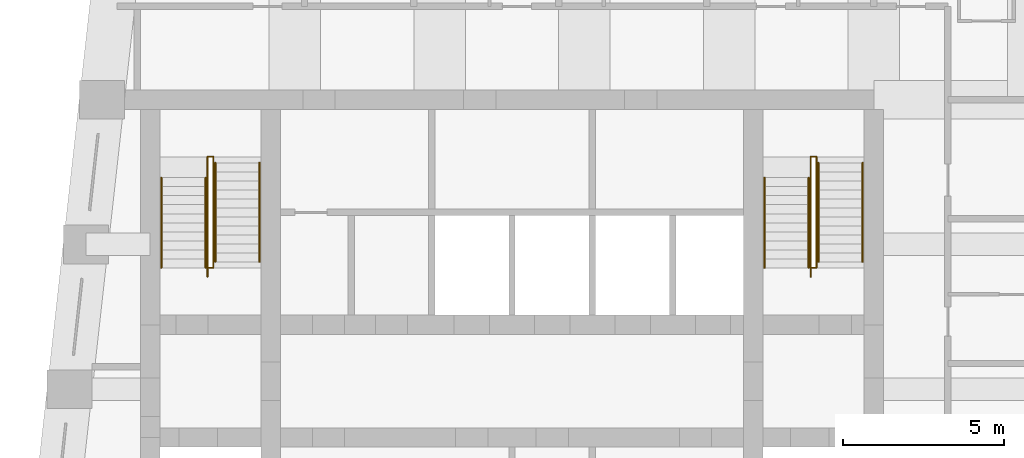
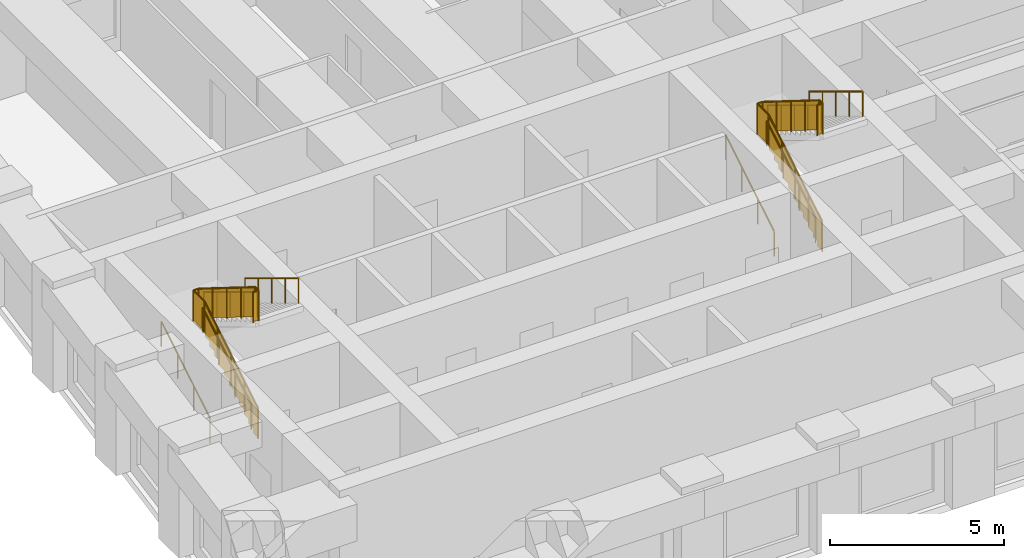
# One storey, part 7 of 7: 12 railings.
"""IFC4 building model written with IfcOpenShell, lengths in metres."""

from ifc_helpers import new_model, si_unit, direction, frame, origin, origin_2d, place, context, subcontext, project, spatial, polyline, circle, outline, extrude, material, type_object, element, save


model = new_model("IFC4")

# Units and contexts
model_context = context("Model", 3, precision=1e-05, world=origin(), true_north=direction((0.0, 1.0)))
body_context = subcontext(model_context, "Body", "Model", "MODEL_VIEW")
ifc_project = project(units=[si_unit("LENGTHUNIT", "METRE"), si_unit("AREAUNIT", "SQUARE_METRE"), si_unit("VOLUMEUNIT", "CUBIC_METRE"), si_unit("PLANEANGLEUNIT", "RADIAN"), si_unit("MASSUNIT", "GRAM", prefix="KILO")], contexts=[model_context])

# Site, building, storey
site_placement = place(None, origin())
site = spatial("IfcSite", under=ifc_project, at=site_placement, CompositionType="ELEMENT")
building_placement = place(site_placement, origin())
building = spatial("IfcBuilding", under=site, at=building_placement, Name="Kilele Tower Hotel", CompositionType="ELEMENT")
storey_placement = place(building_placement, frame((0.0, 0.0, 258.5)))
storey = spatial("IfcBuildingStorey", under=building, at=storey_placement, Name="L66", CompositionType="ELEMENT", Elevation=258.5)

# Railings
ifc_material_1 = material(Name="Steel handrail", Category="steel")
railing_type_1 = type_object("IfcRailingType", Name="Handrail 900", PredefinedType="HANDRAIL", material=ifc_material_1)
for number, where, name in (
    (1, (13.85009765625, 21.77490234375, 0.169677734375), "Handrail ST1 flight 1"),
    (2, (15.22509765625, 21.77490234375, 0.169677734375), "Handrail ST1 flight 1"),
):
    element("IfcRailing", number, at=place(storey_placement, frame(where)), inside=storey, type_object=railing_type_1, Name=name, PredefinedType="HANDRAIL", context=body_context, shape_type="SweptSolid", body=[
        extrude(circle(Radius=0.02490234375, at=origin_2d()), frame((0.0, 0.0, 0.875), z_axis=(0.0, 0.855393119324, 0.517979354234), x_axis=(-1.0, 0.0, 0.0)), (0.0, 0.0, 1.0), 3.2734375),
        extrude(circle(Radius=0.02001953125, at=origin_2d()), origin(), (0.0, 0.0, 1.0), 0.849853515625),
        extrude(circle(Radius=0.02001953125, at=origin_2d()), frame((0.0, 0.933349609375, 0.565185546875)), (0.0, 0.0, 1.0), 0.849853515625),
        extrude(circle(Radius=0.02001953125, at=origin_2d()), frame((0.0, 1.86669921875, 1.13037109375)), (0.0, 0.0, 1.0), 0.849853515625),
        extrude(circle(Radius=0.02001953125, at=origin_2d()), frame((0.0, 2.800048828125, 1.695556640625)), (0.0, 0.0, 1.0), 0.849853515625),
    ])
for number, where, name in (
    (3, (15.52490234375, 25.0400390625, 2.03466796875), "Handrail ST1 flight 2"),
    (4, (16.89990234375, 25.0400390625, 2.03466796875), "Handrail ST1 flight 2"),
):
    element("IfcRailing", number, at=place(storey_placement, frame(where)), inside=storey, type_object=railing_type_1, Name=name, PredefinedType="HANDRAIL", context=body_context, shape_type="SweptSolid", body=[
        extrude(circle(Radius=0.02490234375, at=origin_2d()), frame((0.0, 0.0, 0.875), z_axis=(0.0, -0.855379917629, 0.518001154937), x_axis=(1.0, 0.0, 0.0)), (0.0, 0.0, 1.0), 3.600830078125),
        extrude(circle(Radius=0.02001953125, at=origin_2d()), origin(), (0.0, 0.0, 1.0), 0.849853515625),
        extrude(circle(Radius=0.02001953125, at=origin_2d()), frame((0.0, -0.77001953125, 0.46630859375)), (0.0, 0.0, 1.0), 0.849853515625),
        extrude(circle(Radius=0.02001953125, at=origin_2d()), frame((0.0, -1.5400390625, 0.9326171875)), (0.0, 0.0, 1.0), 0.849853515625),
        extrude(circle(Radius=0.02001953125, at=origin_2d()), frame((0.0, -2.31005859375, 1.39892578125)), (0.0, 0.0, 1.0), 0.849853515625),
        extrude(circle(Radius=0.02001953125, at=origin_2d()), frame((0.0, -3.080078125, 1.865234375)), (0.0, 0.0, 1.0), 0.849853515625),
    ])
for number, where, name in (
    (5, (32.60009765625, 21.77490234375, 0.169677734375), "Handrail ST2 flight 1"),
    (6, (33.97509765625, 21.77490234375, 0.169677734375), "Handrail ST2 flight 1"),
):
    element("IfcRailing", number, at=place(storey_placement, frame(where)), inside=storey, type_object=railing_type_1, Name=name, PredefinedType="HANDRAIL", context=body_context, shape_type="SweptSolid", body=[
        extrude(circle(Radius=0.02490234375, at=origin_2d()), frame((0.0, 0.0, 0.875), z_axis=(0.0, 0.855393119324, 0.517979354234), x_axis=(-1.0, 0.0, 0.0)), (0.0, 0.0, 1.0), 3.2734375),
        extrude(circle(Radius=0.02001953125, at=origin_2d()), origin(), (0.0, 0.0, 1.0), 0.849853515625),
        extrude(circle(Radius=0.02001953125, at=origin_2d()), frame((0.0, 0.933349609375, 0.565185546875)), (0.0, 0.0, 1.0), 0.849853515625),
        extrude(circle(Radius=0.02001953125, at=origin_2d()), frame((0.0, 1.86669921875, 1.13037109375)), (0.0, 0.0, 1.0), 0.849853515625),
        extrude(circle(Radius=0.02001953125, at=origin_2d()), frame((0.0, 2.800048828125, 1.695556640625)), (0.0, 0.0, 1.0), 0.849853515625),
    ])
for number, where, name in (
    (7, (34.27490234375, 25.0400390625, 2.03466796875), "Handrail ST2 flight 2"),
    (8, (35.64990234375, 25.0400390625, 2.03466796875), "Handrail ST2 flight 2"),
):
    element("IfcRailing", number, at=place(storey_placement, frame(where)), inside=storey, type_object=railing_type_1, Name=name, PredefinedType="HANDRAIL", context=body_context, shape_type="SweptSolid", body=[
        extrude(circle(Radius=0.02490234375, at=origin_2d()), frame((0.0, 0.0, 0.875), z_axis=(0.0, -0.855379917629, 0.518001154937), x_axis=(1.0, 0.0, 0.0)), (0.0, 0.0, 1.0), 3.600830078125),
        extrude(circle(Radius=0.02001953125, at=origin_2d()), origin(), (0.0, 0.0, 1.0), 0.849853515625),
        extrude(circle(Radius=0.02001953125, at=origin_2d()), frame((0.0, -0.77001953125, 0.46630859375)), (0.0, 0.0, 1.0), 0.849853515625),
        extrude(circle(Radius=0.02001953125, at=origin_2d()), frame((0.0, -1.5400390625, 0.9326171875)), (0.0, 0.0, 1.0), 0.849853515625),
        extrude(circle(Radius=0.02001953125, at=origin_2d()), frame((0.0, -2.31005859375, 1.39892578125)), (0.0, 0.0, 1.0), 0.849853515625),
        extrude(circle(Radius=0.02001953125, at=origin_2d()), frame((0.0, -3.080078125, 1.865234375)), (0.0, 0.0, 1.0), 0.849853515625),
    ])
ifc_material_2 = material(Name="Steel guard", Category="steel")
railing_type_2 = type_object("IfcRailingType", Name="Stair guard 1100", PredefinedType="GUARDRAIL", material=ifc_material_2)
railing_1_placement = place(storey_placement, frame((15.284912109375, 21.4951171875, 0.0)))
element("IfcRailing", 9, at=railing_1_placement, inside=storey, type_object=railing_type_2, Name="Stair well guard ST1 flight 1", PredefinedType="GUARDRAIL", context=body_context, shape_type="SweptSolid", body=[
    extrude(circle(Radius=0.02490234375, at=origin_2d()), frame((0.0, 0.0, 1.0751953125), z_axis=(0.0, 0.855361723277, 0.518031198243), x_axis=(-1.0, 0.0, 0.0)), (0.0, 0.0, 1.0), 3.6005859375),
    extrude(circle(Radius=0.02490234375, at=origin_2d()), frame((0.0, 3.079833984375, 2.9404296875), z_axis=(0.0, 1.0, 0.0), x_axis=(-1.0, 0.0, 0.0)), (0.0, 0.0, 1.0), 0.650146484375),
    extrude(circle(Radius=0.02490234375, at=origin_2d()), frame((0.0, 3.72998046875, 2.9404296875), z_axis=(1.0, 0.0, 0.0), x_axis=(0.0, 1.0, 0.0)), (0.0, 0.0, 1.0), 0.18017578125),
    extrude(circle(Radius=0.02490234375, at=origin_2d()), origin(), (0.0, 0.0, 1.0), 1.050048828125),
    extrude(circle(Radius=0.02490234375, at=origin_2d()), frame((0.0, 0.77001953125, 0.46630859375)), (0.0, 0.0, 1.0), 1.050048828125),
    extrude(circle(Radius=0.02490234375, at=origin_2d()), frame((0.0, 1.5400390625, 0.9326171875)), (0.0, 0.0, 1.0), 1.050048828125),
    extrude(circle(Radius=0.02490234375, at=origin_2d()), frame((0.0, 2.309814453125, 1.39892578125)), (0.0, 0.0, 1.0), 1.050048828125),
    extrude(circle(Radius=0.02490234375, at=origin_2d()), frame((0.0, 3.079833984375, 1.865234375)), (0.0, 0.0, 1.0), 1.050048828125),
    extrude(circle(Radius=0.02490234375, at=origin_2d()), frame((0.0, 3.72998046875, 1.865234375)), (0.0, 0.0, 1.0), 1.050048828125),
    extrude(circle(Radius=0.02490234375, at=origin_2d()), frame((0.18017578125, 3.72998046875, 1.865234375)), (0.0, 0.0, 1.0), 1.050048828125),
    extrude(outline(polyline([(0.012451171875, 0.030029296875), (0.25, 0.030029296875), (0.25, 0.19970703125), (0.530029296875, 0.19970703125), (0.530029296875, 0.369140625), (0.809814453125, 0.369140625), (0.809814453125, 0.538818359375), (1.08984375, 0.538818359375), (1.08984375, 0.708251953125), (1.369873046875, 0.708251953125), (1.369873046875, 0.8779296875), (1.64990234375, 0.8779296875), (1.64990234375, 1.04736328125), (1.929931640625, 1.04736328125), (1.929931640625, 1.217041015625), (2.2099609375, 1.217041015625), (2.2099609375, 1.386474609375), (2.48974609375, 1.386474609375), (2.48974609375, 1.55615234375), (2.769775390625, 1.55615234375), (2.769775390625, 1.7255859375), (3.0498046875, 1.7255859375), (3.0498046875, 1.895263671875), (3.0673828125, 1.895263671875), (3.0673828125, 2.903564453125), (0.012451171875, 1.053466796875), (0.012451171875, 0.030029296875)])), frame((-0.005859375, 0.0, 0.0), z_axis=(1.0, 0.0, 0.0), x_axis=(0.0, 1.0, 0.0)), (0.0, 0.0, 1.0), 0.011962890625),
    extrude(outline(polyline([(0.012451171875, 0.030029296875), (0.6376953125, 0.030029296875), (0.6376953125, 1.050048828125), (0.012451171875, 1.050048828125), (0.012451171875, 0.030029296875)])), frame((-0.005859375, 3.079833984375, 1.865234375), z_axis=(1.0, 0.0, 0.0), x_axis=(0.0, 1.0, 0.0)), (0.0, 0.0, 1.0), 0.011962890625),
    extrude(outline(polyline([(0.012451171875, 0.030029296875), (0.18017578125, 0.030029296875), (0.18017578125, 1.050048828125), (0.012451171875, 1.050048828125), (0.012451171875, 0.030029296875)])), frame((0.0, 3.73583984375, 1.865234375), z_axis=(0.0, -1.0, 0.0), x_axis=(1.0, 0.0, 0.0)), (0.0, 0.0, 1.0), 0.011962890625),
])
railing_2_placement = place(storey_placement, frame((15.465087890625, 25.22509765625, 1.865234375)))
element("IfcRailing", 10, at=railing_2_placement, inside=storey, type_object=railing_type_2, Name="Stair well guard ST1 flight 2", PredefinedType="GUARDRAIL", context=body_context, shape_type="SweptSolid", body=[
    extrude(circle(Radius=0.02490234375, at=origin_2d()), frame((0.0, 0.0, 1.0751953125), z_axis=(0.0, -0.848703446432, 0.528869038624), x_axis=(1.0, 0.0, 0.0)), (0.0, 0.0, 1.0), 3.84716796875),
    extrude(circle(Radius=0.02490234375, at=origin_2d()), frame((0.0, -3.26513671875, 3.10986328125), z_axis=(0.0, -1.0, 0.0), x_axis=(1.0, 0.0, 0.0)), (0.0, 0.0, 1.0), 0.18505859375),
    extrude(circle(Radius=0.02490234375, at=origin_2d()), frame((0.0, -3.4501953125, 3.10986328125), z_axis=(-1.0, 0.0, 0.0), x_axis=(0.0, -1.0, 0.0)), (0.0, 0.0, 1.0), 0.18017578125),
    extrude(circle(Radius=0.02490234375, at=origin_2d()), origin(), (0.0, 0.0, 1.0), 1.050048828125),
    extrude(circle(Radius=0.02490234375, at=origin_2d()), frame((0.0, -0.81640625, 0.5087890625)), (0.0, 0.0, 1.0), 1.050048828125),
    extrude(circle(Radius=0.02490234375, at=origin_2d()), frame((0.0, -1.632568359375, 1.017333984375)), (0.0, 0.0, 1.0), 1.050048828125),
    extrude(circle(Radius=0.02490234375, at=origin_2d()), frame((0.0, -2.44873046875, 1.52587890625)), (0.0, 0.0, 1.0), 1.050048828125),
    extrude(circle(Radius=0.02490234375, at=origin_2d()), frame((0.0, -3.26513671875, 2.03466796875)), (0.0, 0.0, 1.0), 1.050048828125),
    extrude(circle(Radius=0.02490234375, at=origin_2d()), frame((0.0, -3.4501953125, 2.03466796875)), (0.0, 0.0, 1.0), 1.050048828125),
    extrude(circle(Radius=0.02490234375, at=origin_2d()), frame((-0.18017578125, -3.4501953125, 2.03466796875)), (0.0, 0.0, 1.0), 1.050048828125),
    extrude(outline(polyline([(0.0, 0.030029296875), (3.252685546875, 2.056884765625), (3.252685546875, 3.072509765625), (0.0, 1.045654296875), (0.0, 0.030029296875)])), frame((0.005859375, 0.0, 0.0), z_axis=(-1.0, 0.0, 0.0), x_axis=(0.0, -1.0, 0.0)), (0.0, 0.0, 1.0), 0.011962890625),
    extrude(outline(polyline([(0.012451171875, 0.030029296875), (0.172607421875, 0.030029296875), (0.172607421875, 1.050048828125), (0.012451171875, 1.050048828125), (0.012451171875, 0.030029296875)])), frame((0.005859375, -3.26513671875, 2.03466796875), z_axis=(-1.0, 0.0, 0.0), x_axis=(0.0, -1.0, 0.0)), (0.0, 0.0, 1.0), 0.011962890625),
    extrude(outline(polyline([(0.012451171875, 0.030029296875), (0.18017578125, 0.030029296875), (0.18017578125, 1.050048828125), (0.012451171875, 1.050048828125), (0.012451171875, 0.030029296875)])), frame((0.0, -3.4560546875, 2.03466796875), z_axis=(0.0, 1.0, 0.0), x_axis=(-1.0, 0.0, 0.0)), (0.0, 0.0, 1.0), 0.011962890625),
])
railing_3_placement = place(storey_placement, frame((34.034912109375, 21.4951171875, 0.0)))
element("IfcRailing", 11, at=railing_3_placement, inside=storey, type_object=railing_type_2, Name="Stair well guard ST2 flight 1", PredefinedType="GUARDRAIL", context=body_context, shape_type="SweptSolid", body=[
    extrude(circle(Radius=0.02490234375, at=origin_2d()), frame((0.0, 0.0, 1.0751953125), z_axis=(0.0, 0.855361723277, 0.518031198243), x_axis=(-1.0, 0.0, 0.0)), (0.0, 0.0, 1.0), 3.6005859375),
    extrude(circle(Radius=0.02490234375, at=origin_2d()), frame((0.0, 3.079833984375, 2.9404296875), z_axis=(0.0, 1.0, 0.0), x_axis=(-1.0, 0.0, 0.0)), (0.0, 0.0, 1.0), 0.650146484375),
    extrude(circle(Radius=0.02490234375, at=origin_2d()), frame((0.0, 3.72998046875, 2.9404296875), z_axis=(1.0, 0.0, 0.0), x_axis=(0.0, 1.0, 0.0)), (0.0, 0.0, 1.0), 0.18017578125),
    extrude(circle(Radius=0.02490234375, at=origin_2d()), origin(), (0.0, 0.0, 1.0), 1.050048828125),
    extrude(circle(Radius=0.02490234375, at=origin_2d()), frame((0.0, 0.77001953125, 0.46630859375)), (0.0, 0.0, 1.0), 1.050048828125),
    extrude(circle(Radius=0.02490234375, at=origin_2d()), frame((0.0, 1.5400390625, 0.9326171875)), (0.0, 0.0, 1.0), 1.050048828125),
    extrude(circle(Radius=0.02490234375, at=origin_2d()), frame((0.0, 2.309814453125, 1.39892578125)), (0.0, 0.0, 1.0), 1.050048828125),
    extrude(circle(Radius=0.02490234375, at=origin_2d()), frame((0.0, 3.079833984375, 1.865234375)), (0.0, 0.0, 1.0), 1.050048828125),
    extrude(circle(Radius=0.02490234375, at=origin_2d()), frame((0.0, 3.72998046875, 1.865234375)), (0.0, 0.0, 1.0), 1.050048828125),
    extrude(circle(Radius=0.02490234375, at=origin_2d()), frame((0.18017578125, 3.72998046875, 1.865234375)), (0.0, 0.0, 1.0), 1.050048828125),
    extrude(outline(polyline([(0.012451171875, 0.030029296875), (0.25, 0.030029296875), (0.25, 0.19970703125), (0.530029296875, 0.19970703125), (0.530029296875, 0.369140625), (0.809814453125, 0.369140625), (0.809814453125, 0.538818359375), (1.08984375, 0.538818359375), (1.08984375, 0.708251953125), (1.369873046875, 0.708251953125), (1.369873046875, 0.8779296875), (1.64990234375, 0.8779296875), (1.64990234375, 1.04736328125), (1.929931640625, 1.04736328125), (1.929931640625, 1.217041015625), (2.2099609375, 1.217041015625), (2.2099609375, 1.386474609375), (2.48974609375, 1.386474609375), (2.48974609375, 1.55615234375), (2.769775390625, 1.55615234375), (2.769775390625, 1.7255859375), (3.0498046875, 1.7255859375), (3.0498046875, 1.895263671875), (3.0673828125, 1.895263671875), (3.0673828125, 2.903564453125), (0.012451171875, 1.053466796875), (0.012451171875, 0.030029296875)])), frame((-0.005859375, 0.0, 0.0), z_axis=(1.0, 0.0, 0.0), x_axis=(0.0, 1.0, 0.0)), (0.0, 0.0, 1.0), 0.011962890625),
    extrude(outline(polyline([(0.012451171875, 0.030029296875), (0.6376953125, 0.030029296875), (0.6376953125, 1.050048828125), (0.012451171875, 1.050048828125), (0.012451171875, 0.030029296875)])), frame((-0.005859375, 3.079833984375, 1.865234375), z_axis=(1.0, 0.0, 0.0), x_axis=(0.0, 1.0, 0.0)), (0.0, 0.0, 1.0), 0.011962890625),
    extrude(outline(polyline([(0.012451171875, 0.030029296875), (0.18017578125, 0.030029296875), (0.18017578125, 1.050048828125), (0.012451171875, 1.050048828125), (0.012451171875, 0.030029296875)])), frame((0.0, 3.73583984375, 1.865234375), z_axis=(0.0, -1.0, 0.0), x_axis=(1.0, 0.0, 0.0)), (0.0, 0.0, 1.0), 0.011962890625),
])
railing_4_placement = place(storey_placement, frame((34.215087890625, 25.22509765625, 1.865234375)))
element("IfcRailing", 12, at=railing_4_placement, inside=storey, type_object=railing_type_2, Name="Stair well guard ST2 flight 2", PredefinedType="GUARDRAIL", context=body_context, shape_type="SweptSolid", body=[
    extrude(circle(Radius=0.02490234375, at=origin_2d()), frame((0.0, 0.0, 1.0751953125), z_axis=(0.0, -0.848703446432, 0.528869038624), x_axis=(1.0, 0.0, 0.0)), (0.0, 0.0, 1.0), 3.84716796875),
    extrude(circle(Radius=0.02490234375, at=origin_2d()), frame((0.0, -3.26513671875, 3.10986328125), z_axis=(0.0, -1.0, 0.0), x_axis=(1.0, 0.0, 0.0)), (0.0, 0.0, 1.0), 0.18505859375),
    extrude(circle(Radius=0.02490234375, at=origin_2d()), frame((0.0, -3.4501953125, 3.10986328125), z_axis=(-1.0, 0.0, 0.0), x_axis=(0.0, -1.0, 0.0)), (0.0, 0.0, 1.0), 0.18017578125),
    extrude(circle(Radius=0.02490234375, at=origin_2d()), origin(), (0.0, 0.0, 1.0), 1.050048828125),
    extrude(circle(Radius=0.02490234375, at=origin_2d()), frame((0.0, -0.81640625, 0.5087890625)), (0.0, 0.0, 1.0), 1.050048828125),
    extrude(circle(Radius=0.02490234375, at=origin_2d()), frame((0.0, -1.632568359375, 1.017333984375)), (0.0, 0.0, 1.0), 1.050048828125),
    extrude(circle(Radius=0.02490234375, at=origin_2d()), frame((0.0, -2.44873046875, 1.52587890625)), (0.0, 0.0, 1.0), 1.050048828125),
    extrude(circle(Radius=0.02490234375, at=origin_2d()), frame((0.0, -3.26513671875, 2.03466796875)), (0.0, 0.0, 1.0), 1.050048828125),
    extrude(circle(Radius=0.02490234375, at=origin_2d()), frame((0.0, -3.4501953125, 2.03466796875)), (0.0, 0.0, 1.0), 1.050048828125),
    extrude(circle(Radius=0.02490234375, at=origin_2d()), frame((-0.18017578125, -3.4501953125, 2.03466796875)), (0.0, 0.0, 1.0), 1.050048828125),
    extrude(outline(polyline([(0.0, 0.030029296875), (3.252685546875, 2.056884765625), (3.252685546875, 3.072509765625), (0.0, 1.045654296875), (0.0, 0.030029296875)])), frame((0.005859375, 0.0, 0.0), z_axis=(-1.0, 0.0, 0.0), x_axis=(0.0, -1.0, 0.0)), (0.0, 0.0, 1.0), 0.011962890625),
    extrude(outline(polyline([(0.012451171875, 0.030029296875), (0.172607421875, 0.030029296875), (0.172607421875, 1.050048828125), (0.012451171875, 1.050048828125), (0.012451171875, 0.030029296875)])), frame((0.005859375, -3.26513671875, 2.03466796875), z_axis=(-1.0, 0.0, 0.0), x_axis=(0.0, -1.0, 0.0)), (0.0, 0.0, 1.0), 0.011962890625),
    extrude(outline(polyline([(0.012451171875, 0.030029296875), (0.18017578125, 0.030029296875), (0.18017578125, 1.050048828125), (0.012451171875, 1.050048828125), (0.012451171875, 0.030029296875)])), frame((0.0, -3.4560546875, 2.03466796875), z_axis=(0.0, 1.0, 0.0), x_axis=(-1.0, 0.0, 0.0)), (0.0, 0.0, 1.0), 0.011962890625),
])

save(model, "model.ifc")
